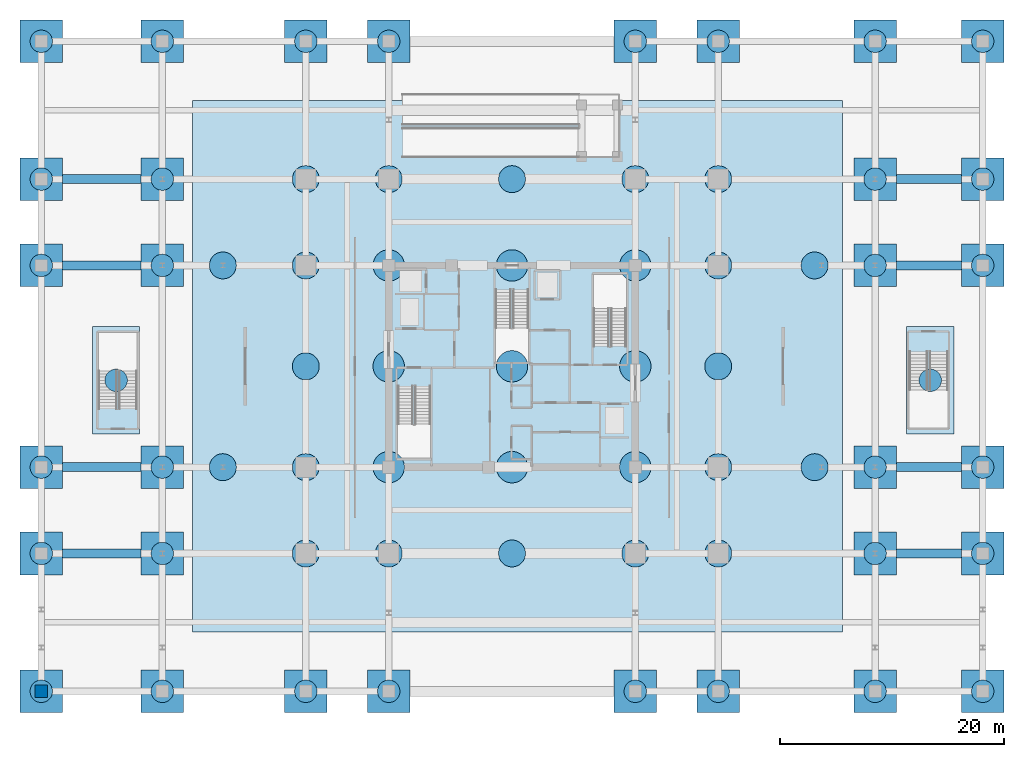
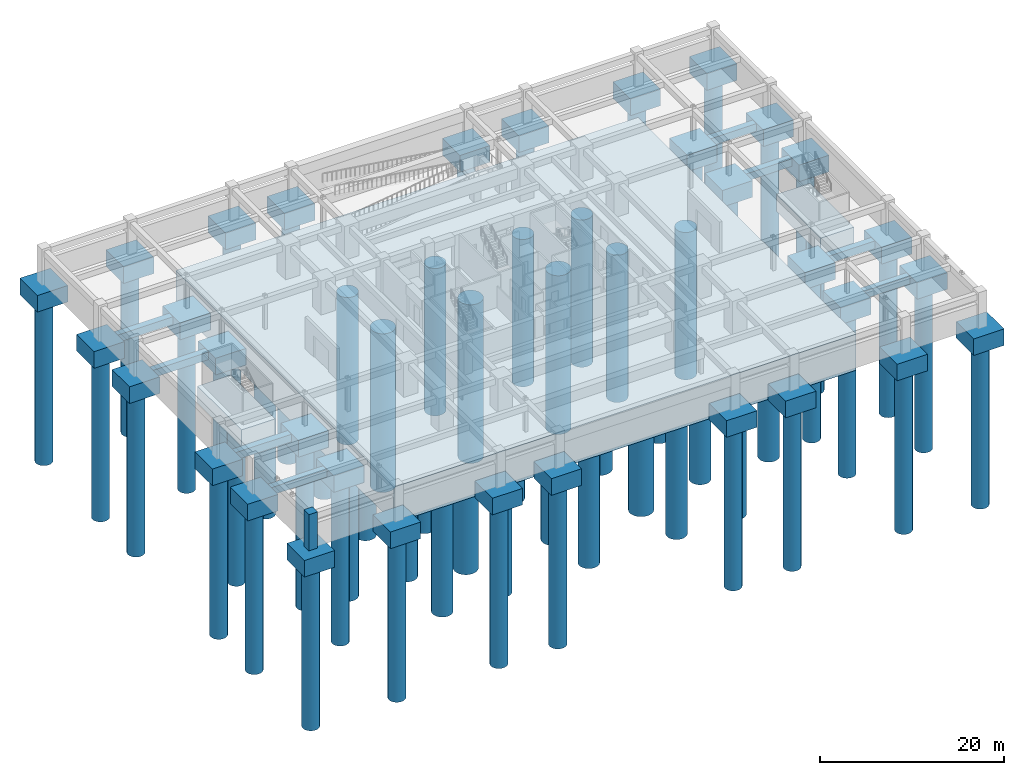
# One storey, part 1 of 17: 63 piles, 43 footings, 1 column.
"""IFC4 building model written with IfcOpenShell, lengths in metres."""

from ifc_helpers import new_model, si_unit, direction, frame, origin, origin_2d, place, context, subcontext, project, spatial, polyline, rectangle, circle, outline, extrude, material, layer, layer_set, material_profile, profile_set, type_object, element, save


model = new_model("IFC4")

# Units and contexts
model_context = context("Model", 3, precision=1e-05, world=origin(), true_north=direction((0.0, 1.0)))
body_context = subcontext(model_context, "Body", "Model", "MODEL_VIEW")
ifc_project = project(units=[si_unit("LENGTHUNIT", "METRE"), si_unit("AREAUNIT", "SQUARE_METRE"), si_unit("VOLUMEUNIT", "CUBIC_METRE"), si_unit("PLANEANGLEUNIT", "RADIAN"), si_unit("MASSUNIT", "GRAM", prefix="KILO")], contexts=[model_context])

# Site, building, storey
site_placement = place(None, origin())
site = spatial("IfcSite", under=ifc_project, at=site_placement, CompositionType="ELEMENT")
building_placement = place(site_placement, origin())
building = spatial("IfcBuilding", under=site, at=building_placement, Name="Kovane Verandah Tower", CompositionType="ELEMENT")
storey_placement = place(building_placement, frame((0.0, 0.0, -9.0)))
storey = spatial("IfcBuildingStorey", under=building, at=storey_placement, Name="B2", CompositionType="ELEMENT", Elevation=-9.0)

# Footings
ifc_material = material(Name="Concrete C60/75", Category="concrete")
ifc_layer_1 = layer(ifc_material, 2.199951171875)
ifc_layer_set_1 = layer_set([ifc_layer_1], Name="Concrete C60/75")
footing_type_1 = type_object("IfcFootingType", Name="FT-CAP-3800x2200", PredefinedType="PILE_CAP", material=ifc_layer_set_1)
for number, where, z_axis, x_axis, name in (
    (1, (-2.0, -1.5, -2.5), (0.0, 0.0, 1.0), (1.0, 0.0, 0.0), "Podium Pile Cap FT-PC01"),
    (2, (-2.0, 10.800048828125, -2.5), (0.0, 0.0, 1.0), (1.0, 0.0, 0.0), "Podium Pile Cap FT-PC02"),
    (3, (-2.0, 18.5, -2.5), (0.0, 0.0, 1.0), (1.0, 0.0, 0.0), "Podium Pile Cap FT-PC03"),
    (4, (-2.0, 36.5, -2.5), (0.0, 0.0, 1.0), (1.0, 0.0, 0.0), "Podium Pile Cap FT-PC04"),
    (5, (-2.0, 44.199951171875, -2.5), (0.0, 0.0, 1.0), (1.0, 0.0, 0.0), "Podium Pile Cap FT-PC05"),
    (6, (-2.0, 56.5, -2.5), (0.0, 0.0, 1.0), (1.0, 0.0, 0.0), "Podium Pile Cap FT-PC06"),
    (7, (82.0, -1.5, -2.5), (0.0, 0.0, 1.0), (1.0, 0.0, 0.0), "Podium Pile Cap FT-PC07"),
    (8, (82.0, 10.800048828125, -2.5), (0.0, 0.0, 1.0), (1.0, 0.0, 0.0), "Podium Pile Cap FT-PC08"),
    (9, (82.0, 18.5, -2.5), (0.0, 0.0, 1.0), (1.0, 0.0, 0.0), "Podium Pile Cap FT-PC09"),
    (10, (82.0, 36.5, -2.5), (0.0, 0.0, 1.0), (1.0, 0.0, 0.0), "Podium Pile Cap FT-PC10"),
    (11, (82.0, 44.199951171875, -2.5), (0.0, 0.0, 1.0), (1.0, 0.0, 0.0), "Podium Pile Cap FT-PC11"),
    (12, (82.0, 56.5, -2.5), (0.0, 0.0, 1.0), (1.0, 0.0, 0.0), "Podium Pile Cap FT-PC12"),
    (13, (8.800048828125, -1.5, -2.5), (0.0, 0.0, 1.0), (1.0, 0.0, 0.0), "Podium Pile Cap FT-PC13"),
    (14, (21.60009765625, -1.5, -2.5), (0.0, 0.0, 1.0), (1.0, 0.0, 0.0), "Podium Pile Cap FT-PC14"),
    (15, (29.0, -1.5, -2.5), (0.0, 0.0, 1.0), (1.0, 0.0, 0.0), "Podium Pile Cap FT-PC15"),
    (16, (51.0, -1.5, -2.5), (0.0, 0.0, 1.0), (1.0, 0.0, 0.0), "Podium Pile Cap FT-PC16"),
    (17, (58.39990234375, -1.5, -2.5), (0.0, 0.0, 1.0), (1.0, 0.0, 0.0), "Podium Pile Cap FT-PC17"),
    (18, (72.39990234375, -1.5, -2.5), (0.0, 0.0, 1.0), (1.0, 0.0, 0.0), "Podium Pile Cap FT-PC18"),
    (19, (8.800048828125, 56.5, -2.5), (0.0, 0.0, 1.0), (1.0, 0.0, 0.0), "Podium Pile Cap FT-PC19"),
    (20, (21.60009765625, 56.5, -2.5), (0.0, 0.0, 1.0), (1.0, 0.0, 0.0), "Podium Pile Cap FT-PC20"),
    (21, (29.0, 56.5, -2.5), (0.0, 0.0, 1.0), (1.0, 0.0, 0.0), "Podium Pile Cap FT-PC21"),
    (22, (51.0, 56.5, -2.5), (0.0, 0.0, 1.0), (1.0, 0.0, 0.0), "Podium Pile Cap FT-PC22"),
    (23, (58.39990234375, 56.5, -2.5), (0.0, 0.0, 1.0), (1.0, 0.0, 0.0), "Podium Pile Cap FT-PC23"),
    (24, (72.39990234375, 56.5, -2.5), (0.0, 0.0, 1.0), (1.0, 0.0, 0.0), "Podium Pile Cap FT-PC24"),
    (25, (8.800048828125, 10.800048828125, -2.5), (0.0, 0.0, 1.0), (1.0, 0.0, 0.0), "Podium Pile Cap FT-PC25"),
    (26, (8.800048828125, 18.5, -2.5), (0.0, 0.0, 1.0), (1.0, 0.0, 0.0), "Podium Pile Cap FT-PC26"),
    (27, (8.800048828125, 36.5, -2.5), (0.0, 0.0, 1.0), (1.0, 0.0, 0.0), "Podium Pile Cap FT-PC27"),
    (28, (8.800048828125, 44.199951171875, -2.5), (0.0, 0.0, 1.0), (1.0, 0.0, 0.0), "Podium Pile Cap FT-PC28"),
    (29, (72.39990234375, 10.800048828125, -2.5), (0.0, 0.0, 1.0), (1.0, 0.0, 0.0), "Podium Pile Cap FT-PC29"),
    (30, (72.39990234375, 18.5, -2.5), (0.0, 0.0, 1.0), (1.0, 0.0, 0.0), "Podium Pile Cap FT-PC30"),
    (31, (72.39990234375, 36.5, -2.5), (0.0, 0.0, 1.0), (1.0, 0.0, 0.0), "Podium Pile Cap FT-PC31"),
    (32, (72.39990234375, 44.199951171875, -2.5), (0.0, 0.0, 1.0), (1.0, 0.0, 0.0), "Podium Pile Cap FT-PC32"),
):
    element("IfcFooting", number, at=place(storey_placement, frame(where, z_axis=z_axis, x_axis=x_axis)), inside=storey, type_object=footing_type_1, Name=name, PredefinedType="PILE_CAP", context=body_context, shape_type="SweptSolid", body=[
        extrude(rectangle(XDim=3.800048828125, YDim=3.800048828125, at=origin_2d()), origin(), (0.0, 0.0, 1.0), 2.199951171875),
    ])
ifc_material_profile_1 = material_profile(ifc_material, rectangle(XDim=0.800048828125, YDim=1.0, at=origin_2d()), Name="RCB800x1000")
ifc_profile_set_1 = profile_set([ifc_material_profile_1], Name="Concrete C60/75")
footing_type_2 = type_object("IfcFootingType", Name="FT-GB-800x1000", PredefinedType="FOOTING_BEAM", material=ifc_profile_set_1)
footing_1_placement = place(storey_placement, frame((3.39990234375, 10.800048828125, -1.35009765625), z_axis=(0.0, 0.0, 1.0), x_axis=(1.0, 0.0, 0.0)))
element("IfcFooting", 33, at=footing_1_placement, inside=storey, type_object=footing_type_2, Name="West Foundation Tie Beam 1", PredefinedType="FOOTING_BEAM", context=body_context, shape_type="SweptSolid", body=[
    extrude(rectangle(XDim=7.0, YDim=0.800048828125, at=origin_2d()), origin(), (0.0, 0.0, 1.0), 1.0),
])
footing_2_placement = place(storey_placement, frame((77.199951171875, 10.800048828125, -1.35009765625), z_axis=(0.0, 0.0, 1.0), x_axis=(1.0, 0.0, 0.0)))
element("IfcFooting", 34, at=footing_2_placement, inside=storey, type_object=footing_type_2, Name="East Foundation Tie Beam 1", PredefinedType="FOOTING_BEAM", context=body_context, shape_type="SweptSolid", body=[
    extrude(rectangle(XDim=5.800048828125, YDim=0.800048828125, at=origin_2d()), origin(), (0.0, 0.0, 1.0), 1.0),
])
footing_3_placement = place(storey_placement, frame((3.39990234375, 18.5, -1.35009765625), z_axis=(0.0, 0.0, 1.0), x_axis=(1.0, 0.0, 0.0)))
element("IfcFooting", 35, at=footing_3_placement, inside=storey, type_object=footing_type_2, Name="West Foundation Tie Beam 2", PredefinedType="FOOTING_BEAM", context=body_context, shape_type="SweptSolid", body=[
    extrude(rectangle(XDim=7.0, YDim=0.800048828125, at=origin_2d()), origin(), (0.0, 0.0, 1.0), 1.0),
])
footing_4_placement = place(storey_placement, frame((77.199951171875, 18.5, -1.35009765625), z_axis=(0.0, 0.0, 1.0), x_axis=(1.0, 0.0, 0.0)))
element("IfcFooting", 36, at=footing_4_placement, inside=storey, type_object=footing_type_2, Name="East Foundation Tie Beam 2", PredefinedType="FOOTING_BEAM", context=body_context, shape_type="SweptSolid", body=[
    extrude(rectangle(XDim=5.800048828125, YDim=0.800048828125, at=origin_2d()), origin(), (0.0, 0.0, 1.0), 1.0),
])
footing_5_placement = place(storey_placement, frame((3.39990234375, 36.5, -1.35009765625), z_axis=(0.0, 0.0, 1.0), x_axis=(1.0, 0.0, 0.0)))
element("IfcFooting", 37, at=footing_5_placement, inside=storey, type_object=footing_type_2, Name="West Foundation Tie Beam 3", PredefinedType="FOOTING_BEAM", context=body_context, shape_type="SweptSolid", body=[
    extrude(rectangle(XDim=7.0, YDim=0.800048828125, at=origin_2d()), origin(), (0.0, 0.0, 1.0), 1.0),
])
footing_6_placement = place(storey_placement, frame((77.199951171875, 36.5, -1.35009765625), z_axis=(0.0, 0.0, 1.0), x_axis=(1.0, 0.0, 0.0)))
element("IfcFooting", 38, at=footing_6_placement, inside=storey, type_object=footing_type_2, Name="East Foundation Tie Beam 3", PredefinedType="FOOTING_BEAM", context=body_context, shape_type="SweptSolid", body=[
    extrude(rectangle(XDim=5.800048828125, YDim=0.800048828125, at=origin_2d()), origin(), (0.0, 0.0, 1.0), 1.0),
])
footing_7_placement = place(storey_placement, frame((3.39990234375, 44.199951171875, -1.35009765625), z_axis=(0.0, 0.0, 1.0), x_axis=(1.0, 0.0, 0.0)))
element("IfcFooting", 39, at=footing_7_placement, inside=storey, type_object=footing_type_2, Name="West Foundation Tie Beam 4", PredefinedType="FOOTING_BEAM", context=body_context, shape_type="SweptSolid", body=[
    extrude(rectangle(XDim=7.0, YDim=0.800048828125, at=origin_2d()), origin(), (0.0, 0.0, 1.0), 1.0),
])
footing_8_placement = place(storey_placement, frame((77.199951171875, 44.199951171875, -1.35009765625), z_axis=(0.0, 0.0, 1.0), x_axis=(1.0, 0.0, 0.0)))
element("IfcFooting", 40, at=footing_8_placement, inside=storey, type_object=footing_type_2, Name="East Foundation Tie Beam 4", PredefinedType="FOOTING_BEAM", context=body_context, shape_type="SweptSolid", body=[
    extrude(rectangle(XDim=5.800048828125, YDim=0.800048828125, at=origin_2d()), origin(), (0.0, 0.0, 1.0), 1.0),
])
ifc_layer_2 = layer(ifc_material, 4.800048828125)
ifc_layer_set_2 = layer_set([ifc_layer_2], Name="Concrete C60/75")
footing_type_3 = type_object("IfcFootingType", Name="FT-RAFT-4800", PredefinedType="PILE_CAP", material=ifc_layer_set_2)
footing_9_placement = place(storey_placement, frame((0.0, 0.0, -5.10009765625)))
element("IfcFooting", 41, at=footing_9_placement, inside=storey, type_object=footing_type_3, Name="Tower Piled Raft FT-RAFT", PredefinedType="PILE_CAP", context=body_context, shape_type="SweptSolid", body=[
    extrude(outline(polyline([(11.5, 3.800048828125), (69.5, 3.800048828125), (69.5, 51.199951171875), (11.5, 51.199951171875), (11.5, 3.800048828125)])), origin(), (0.0, 0.0, 1.0), 4.800048828125),
])
ifc_layer_3 = layer(ifc_material, 2.199951171875)
ifc_layer_set_3 = layer_set([ifc_layer_3], Name="Concrete C60/75")
footing_type_4 = type_object("IfcFootingType", Name="FT-STCAP-4200x9600", PredefinedType="PILE_CAP", material=ifc_layer_set_3)
for number, where, z_axis, x_axis, name in (
    (42, (4.679931640625, 26.25, -2.5), (0.0, 0.0, 1.0), (1.0, 0.0, 0.0), "Podium Stair ST04 Pile Cap"),
    (43, (77.320068359375, 26.25, -2.5), (0.0, 0.0, 1.0), (1.0, 0.0, 0.0), "Podium Stair ST05 Pile Cap"),
):
    element("IfcFooting", number, at=place(storey_placement, frame(where, z_axis=z_axis, x_axis=x_axis)), inside=storey, type_object=footing_type_4, Name=name, PredefinedType="PILE_CAP", context=body_context, shape_type="SweptSolid", body=[
        extrude(rectangle(XDim=4.199951171875, YDim=9.60009765625, at=origin_2d()), origin(), (0.0, 0.0, 1.0), 2.199951171875),
    ])

# Piles
ifc_material_profile_2 = material_profile(ifc_material, circle(Radius=1.0, at=origin_2d()), Name="PILE2000")
ifc_profile_set_2 = profile_set([ifc_material_profile_2], Name="Concrete C60/75")
pile_type_1 = type_object("IfcPileType", Name="PILE-PILE2000", PredefinedType="BORED", material=ifc_profile_set_2)
for number, where, z_axis, x_axis, name in (
    (44, (-2.0, -1.5, -2.35009765625), (0.0, 0.0, -1.0), (1.0, 0.0, 0.0), "Podium Bored Pile PL-P01"),
    (45, (-2.0, 10.800048828125, -2.35009765625), (0.0, 0.0, -1.0), (1.0, 0.0, 0.0), "Podium Bored Pile PL-P02"),
    (46, (-2.0, 18.5, -2.35009765625), (0.0, 0.0, -1.0), (1.0, 0.0, 0.0), "Podium Bored Pile PL-P03"),
    (47, (-2.0, 36.5, -2.35009765625), (0.0, 0.0, -1.0), (1.0, 0.0, 0.0), "Podium Bored Pile PL-P04"),
    (48, (-2.0, 44.199951171875, -2.35009765625), (0.0, 0.0, -1.0), (1.0, 0.0, 0.0), "Podium Bored Pile PL-P05"),
    (49, (-2.0, 56.5, -2.35009765625), (0.0, 0.0, -1.0), (1.0, 0.0, 0.0), "Podium Bored Pile PL-P06"),
    (50, (82.0, -1.5, -2.35009765625), (0.0, 0.0, -1.0), (1.0, 0.0, 0.0), "Podium Bored Pile PL-P07"),
    (51, (82.0, 10.800048828125, -2.35009765625), (0.0, 0.0, -1.0), (1.0, 0.0, 0.0), "Podium Bored Pile PL-P08"),
    (52, (82.0, 18.5, -2.35009765625), (0.0, 0.0, -1.0), (1.0, 0.0, 0.0), "Podium Bored Pile PL-P09"),
    (53, (82.0, 36.5, -2.35009765625), (0.0, 0.0, -1.0), (1.0, 0.0, 0.0), "Podium Bored Pile PL-P10"),
    (54, (82.0, 44.199951171875, -2.35009765625), (0.0, 0.0, -1.0), (1.0, 0.0, 0.0), "Podium Bored Pile PL-P11"),
    (55, (82.0, 56.5, -2.35009765625), (0.0, 0.0, -1.0), (1.0, 0.0, 0.0), "Podium Bored Pile PL-P12"),
    (56, (8.800048828125, -1.5, -2.35009765625), (0.0, 0.0, -1.0), (1.0, 0.0, 0.0), "Podium Bored Pile PL-P13"),
    (57, (21.60009765625, -1.5, -2.35009765625), (0.0, 0.0, -1.0), (1.0, 0.0, 0.0), "Podium Bored Pile PL-P14"),
    (58, (29.0, -1.5, -2.35009765625), (0.0, 0.0, -1.0), (1.0, 0.0, 0.0), "Podium Bored Pile PL-P15"),
    (59, (51.0, -1.5, -2.35009765625), (0.0, 0.0, -1.0), (1.0, 0.0, 0.0), "Podium Bored Pile PL-P16"),
    (60, (58.39990234375, -1.5, -2.35009765625), (0.0, 0.0, -1.0), (1.0, 0.0, 0.0), "Podium Bored Pile PL-P17"),
    (61, (72.39990234375, -1.5, -2.35009765625), (0.0, 0.0, -1.0), (1.0, 0.0, 0.0), "Podium Bored Pile PL-P18"),
    (62, (8.800048828125, 56.5, -2.35009765625), (0.0, 0.0, -1.0), (1.0, 0.0, 0.0), "Podium Bored Pile PL-P19"),
    (63, (21.60009765625, 56.5, -2.35009765625), (0.0, 0.0, -1.0), (1.0, 0.0, 0.0), "Podium Bored Pile PL-P20"),
    (64, (29.0, 56.5, -2.35009765625), (0.0, 0.0, -1.0), (1.0, 0.0, 0.0), "Podium Bored Pile PL-P21"),
    (65, (51.0, 56.5, -2.35009765625), (0.0, 0.0, -1.0), (1.0, 0.0, 0.0), "Podium Bored Pile PL-P22"),
    (66, (58.39990234375, 56.5, -2.35009765625), (0.0, 0.0, -1.0), (1.0, 0.0, 0.0), "Podium Bored Pile PL-P23"),
    (67, (72.39990234375, 56.5, -2.35009765625), (0.0, 0.0, -1.0), (1.0, 0.0, 0.0), "Podium Bored Pile PL-P24"),
    (68, (8.800048828125, 10.800048828125, -2.35009765625), (0.0, 0.0, -1.0), (1.0, 0.0, 0.0), "Podium Bored Pile PL-P25"),
    (69, (8.800048828125, 18.5, -2.35009765625), (0.0, 0.0, -1.0), (1.0, 0.0, 0.0), "Podium Bored Pile PL-P26"),
    (70, (8.800048828125, 36.5, -2.35009765625), (0.0, 0.0, -1.0), (1.0, 0.0, 0.0), "Podium Bored Pile PL-P27"),
    (71, (8.800048828125, 44.199951171875, -2.35009765625), (0.0, 0.0, -1.0), (1.0, 0.0, 0.0), "Podium Bored Pile PL-P28"),
    (72, (72.39990234375, 10.800048828125, -2.35009765625), (0.0, 0.0, -1.0), (1.0, 0.0, 0.0), "Podium Bored Pile PL-P29"),
    (73, (72.39990234375, 18.5, -2.35009765625), (0.0, 0.0, -1.0), (1.0, 0.0, 0.0), "Podium Bored Pile PL-P30"),
    (74, (72.39990234375, 36.5, -2.35009765625), (0.0, 0.0, -1.0), (1.0, 0.0, 0.0), "Podium Bored Pile PL-P31"),
    (75, (72.39990234375, 44.199951171875, -2.35009765625), (0.0, 0.0, -1.0), (1.0, 0.0, 0.0), "Podium Bored Pile PL-P32"),
    (76, (4.679931640625, 26.25, -2.35009765625), (0.0, 0.0, -1.0), (1.0, 0.0, 0.0), "Podium Stair ST04 Bored Pile"),
    (77, (77.320068359375, 26.25, -2.35009765625), (0.0, 0.0, -1.0), (1.0, 0.0, 0.0), "Podium Stair ST05 Bored Pile"),
):
    element("IfcPile", number, at=place(storey_placement, frame(where, z_axis=z_axis, x_axis=x_axis)), inside=storey, type_object=pile_type_1, Name=name, PredefinedType="BORED", context=body_context, shape_type="SweptSolid", body=[
        extrude(circle(Radius=1.0, at=origin_2d()), origin(), (0.0, 0.0, 1.0), 21.64990234375),
    ])
ifc_material_profile_3 = material_profile(ifc_material, circle(Radius=1.199951171875, at=origin_2d()), Name="PILE2400")
ifc_profile_set_3 = profile_set([ifc_material_profile_3], Name="Concrete C60/75")
pile_type_2 = type_object("IfcPileType", Name="PILE-PILE2400", PredefinedType="BORED", material=ifc_profile_set_3)
for number, where, z_axis, x_axis, name in (
    (78, (21.60009765625, 10.800048828125, -4.949951171875), (0.0, 0.0, -1.0), (1.0, 0.0, 0.0), "Tower Ring Bored Pile PL-T01"),
    (79, (29.0, 10.800048828125, -4.949951171875), (0.0, 0.0, -1.0), (1.0, 0.0, 0.0), "Tower Ring Bored Pile PL-T02"),
    (80, (40.0, 10.800048828125, -4.949951171875), (0.0, 0.0, -1.0), (1.0, 0.0, 0.0), "Tower Ring Bored Pile PL-T03"),
    (81, (51.0, 10.800048828125, -4.949951171875), (0.0, 0.0, -1.0), (1.0, 0.0, 0.0), "Tower Ring Bored Pile PL-T04"),
    (82, (58.39990234375, 10.800048828125, -4.949951171875), (0.0, 0.0, -1.0), (1.0, 0.0, 0.0), "Tower Ring Bored Pile PL-T05"),
    (83, (21.60009765625, 44.199951171875, -4.949951171875), (0.0, 0.0, -1.0), (1.0, 0.0, 0.0), "Tower Ring Bored Pile PL-T06"),
    (84, (29.0, 44.199951171875, -4.949951171875), (0.0, 0.0, -1.0), (1.0, 0.0, 0.0), "Tower Ring Bored Pile PL-T07"),
    (85, (40.0, 44.199951171875, -4.949951171875), (0.0, 0.0, -1.0), (1.0, 0.0, 0.0), "Tower Ring Bored Pile PL-T08"),
    (86, (51.0, 44.199951171875, -4.949951171875), (0.0, 0.0, -1.0), (1.0, 0.0, 0.0), "Tower Ring Bored Pile PL-T09"),
    (87, (58.39990234375, 44.199951171875, -4.949951171875), (0.0, 0.0, -1.0), (1.0, 0.0, 0.0), "Tower Ring Bored Pile PL-T10"),
    (88, (21.60009765625, 18.5, -4.949951171875), (0.0, 0.0, -1.0), (1.0, 0.0, 0.0), "Tower Ring Bored Pile PL-T11"),
    (89, (21.60009765625, 27.5, -4.949951171875), (0.0, 0.0, -1.0), (1.0, 0.0, 0.0), "Tower Ring Bored Pile PL-T12"),
    (90, (21.60009765625, 36.5, -4.949951171875), (0.0, 0.0, -1.0), (1.0, 0.0, 0.0), "Tower Ring Bored Pile PL-T13"),
    (91, (58.39990234375, 18.5, -4.949951171875), (0.0, 0.0, -1.0), (1.0, 0.0, 0.0), "Tower Ring Bored Pile PL-T14"),
    (92, (58.39990234375, 27.5, -4.949951171875), (0.0, 0.0, -1.0), (1.0, 0.0, 0.0), "Tower Ring Bored Pile PL-T15"),
    (93, (58.39990234375, 36.5, -4.949951171875), (0.0, 0.0, -1.0), (1.0, 0.0, 0.0), "Tower Ring Bored Pile PL-T16"),
    (94, (14.199951171875, 18.5, -4.949951171875), (0.0, 0.0, -1.0), (1.0, 0.0, 0.0), "Tower Ring Bored Pile PL-T17"),
    (95, (14.199951171875, 36.5, -4.949951171875), (0.0, 0.0, -1.0), (1.0, 0.0, 0.0), "Tower Ring Bored Pile PL-T18"),
    (96, (67.0, 18.5, -4.949951171875), (0.0, 0.0, -1.0), (1.0, 0.0, 0.0), "Tower Ring Bored Pile PL-T19"),
    (97, (67.0, 36.5, -4.949951171875), (0.0, 0.0, -1.0), (1.0, 0.0, 0.0), "Tower Ring Bored Pile PL-T20"),
):
    element("IfcPile", number, at=place(storey_placement, frame(where, z_axis=z_axis, x_axis=x_axis)), inside=storey, type_object=pile_type_2, Name=name, PredefinedType="BORED", context=body_context, shape_type="SweptSolid", body=[
        extrude(circle(Radius=1.199951171875, at=origin_2d()), origin(), (0.0, 0.0, 1.0), 19.550048828125),
    ])
ifc_material_profile_4 = material_profile(ifc_material, circle(Radius=1.39990234375, at=origin_2d()), Name="PILE2800")
ifc_profile_set_4 = profile_set([ifc_material_profile_4], Name="Concrete C60/75")
pile_type_3 = type_object("IfcPileType", Name="PILE-PILE2800", PredefinedType="BORED", material=ifc_profile_set_4)
for number, where, z_axis, x_axis, name in (
    (98, (29.0, 18.5, -4.949951171875), (0.0, 0.0, -1.0), (1.0, 0.0, 0.0), "Core Bored Pile PL-C01"),
    (99, (29.0, 27.5, -4.949951171875), (0.0, 0.0, -1.0), (1.0, 0.0, 0.0), "Core Bored Pile PL-C02"),
    (100, (29.0, 36.5, -4.949951171875), (0.0, 0.0, -1.0), (1.0, 0.0, 0.0), "Core Bored Pile PL-C03"),
    (101, (40.0, 18.5, -4.949951171875), (0.0, 0.0, -1.0), (1.0, 0.0, 0.0), "Core Bored Pile PL-C04"),
    (102, (40.0, 27.5, -4.949951171875), (0.0, 0.0, -1.0), (1.0, 0.0, 0.0), "Core Bored Pile PL-C05"),
    (103, (40.0, 36.5, -4.949951171875), (0.0, 0.0, -1.0), (1.0, 0.0, 0.0), "Core Bored Pile PL-C06"),
    (104, (51.0, 18.5, -4.949951171875), (0.0, 0.0, -1.0), (1.0, 0.0, 0.0), "Core Bored Pile PL-C07"),
    (105, (51.0, 27.5, -4.949951171875), (0.0, 0.0, -1.0), (1.0, 0.0, 0.0), "Core Bored Pile PL-C08"),
    (106, (51.0, 36.5, -4.949951171875), (0.0, 0.0, -1.0), (1.0, 0.0, 0.0), "Core Bored Pile PL-C09"),
):
    element("IfcPile", number, at=place(storey_placement, frame(where, z_axis=z_axis, x_axis=x_axis)), inside=storey, type_object=pile_type_3, Name=name, PredefinedType="BORED", context=body_context, shape_type="SweptSolid", body=[
        extrude(circle(Radius=1.39990234375, at=origin_2d()), origin(), (0.0, 0.0, 1.0), 21.050048828125),
    ])

# Column
ifc_material_profile_5 = material_profile(ifc_material, rectangle(XDim=1.10009765625, YDim=1.10009765625, at=origin_2d()), Name="RC1100x1100")
ifc_profile_set_5 = profile_set([ifc_material_profile_5], Name="Concrete C60/75")
column_type = type_object("IfcColumnType", Name="COL-POD1100", PredefinedType="COLUMN", material=ifc_profile_set_5)
column_placement = place(storey_placement, frame((-2.0, -1.5, -0.300048828125), z_axis=(0.0, 0.0, 1.0), x_axis=(1.0, 0.0, 0.0)))
element("IfcColumn", 107, at=column_placement, inside=storey, type_object=column_type, Name="B2 Podium Column PC-W0", PredefinedType="COLUMN", context=body_context, shape_type="SweptSolid", body=[
    extrude(rectangle(XDim=1.10009765625, YDim=1.10009765625, at=origin_2d()), origin(), (0.0, 0.0, 1.0), 4.800048828125),
])

save(model, "model.ifc")
